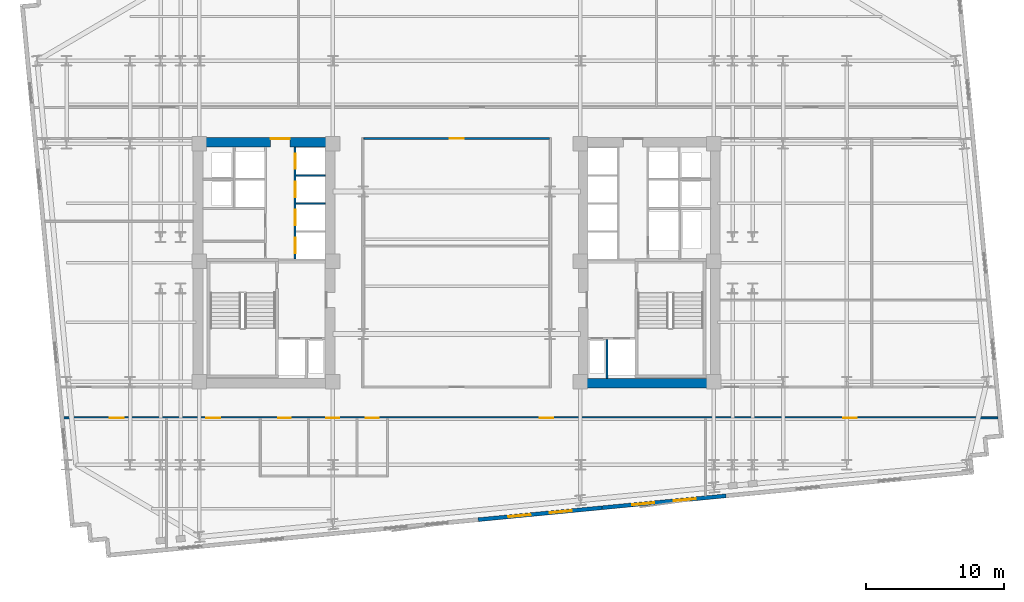
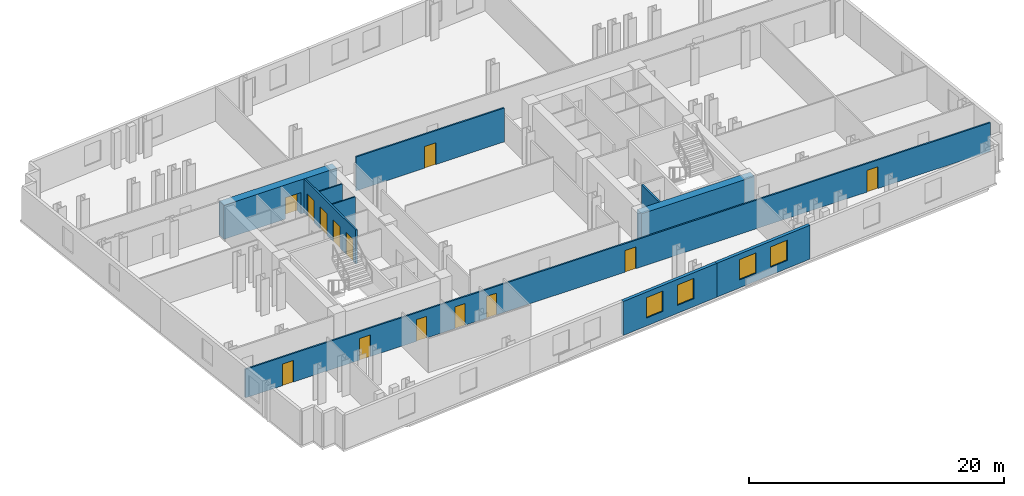
# One storey, part 5 of 10: 13 doors, 10 walls, 4 windows, 17 openings.
"""IFC4 building model written with IfcOpenShell, lengths in metres."""

from ifc_helpers import new_model, si_unit, direction, frame, frame_2d, origin, place, context, subcontext, project, spatial, rectangle, extrude, material, layer, layer_set, type_object, element, fill, save


model = new_model("IFC4")

# Units and contexts
model_context = context("Model", 3, precision=1e-05, world=origin(), true_north=direction((0.0, 1.0)))
body_context = subcontext(model_context, "Body", "Model", "MODEL_VIEW")
ifc_project = project(units=[si_unit("LENGTHUNIT", "METRE"), si_unit("AREAUNIT", "SQUARE_METRE"), si_unit("VOLUMEUNIT", "CUBIC_METRE"), si_unit("PLANEANGLEUNIT", "RADIAN"), si_unit("MASSUNIT", "GRAM", prefix="KILO")], contexts=[model_context])

# Site, building, storey
site_placement = place(None, origin())
site = spatial("IfcSite", under=ifc_project, at=site_placement, CompositionType="ELEMENT")
building_placement = place(site_placement, origin())
building = spatial("IfcBuilding", under=site, at=building_placement, Name="Velakula Bourse", CompositionType="ELEMENT")
storey_placement = place(building_placement, frame((0.0, 0.0, 77.64990234375)))
storey = spatial("IfcBuildingStorey", under=building, at=storey_placement, Name="L20", CompositionType="ELEMENT", Elevation=77.64990234375)

# Wall, opening, door
ifc_material_1 = material(Name="Concrete M70 (fck 70 MPa)", Category="concrete")
ifc_layer_1 = layer(ifc_material_1, 0.699951171875, Name="Concrete M70 (fck 70 MPa)", Category="concrete")
ifc_layer_set_1 = layer_set([ifc_layer_1], Name="Concrete M70 (fck 70 MPa)")
wall_type_1 = type_object("IfcWallType", Name="WL-CORE-700", PredefinedType="SHEAR", material=ifc_layer_set_1)
wall_1_placement = place(storey_placement, frame((-19.050048828125, 8.699951171875, 0.0), z_axis=(0.0, 0.0, 1.0), x_axis=(1.0, 0.0, 0.0)))
wall_1 = element("IfcWall", 1, at=wall_1_placement, inside=storey, type_object=wall_type_1, Name="L20 Core W Shear Wall N", PredefinedType="SHEAR", context=body_context, shape_type="SweptSolid", body=[
    extrude(rectangle(XDim=10.25, YDim=0.699951171875, at=frame_2d((5.125, 0.0))), origin(), (0.0, 0.0, 1.0), 3.27001953125),
])
opening_1_placement = place(wall_1_placement, frame((5.60009765625, 0.0, 0.0)))
opening_1 = element("IfcOpeningElement", 2, at=opening_1_placement, cuts=wall_1, Name="Opening D-LLW", PredefinedType="OPENING", context=body_context, shape_type="SweptSolid", body=[
    extrude(rectangle(XDim=1.39990234375, YDim=2.050048828125, at=frame_2d((0.699951171875, 1.02490234375))), frame((0.0, 0.35986328125, 0.0), z_axis=(0.0, -1.0, 0.0), x_axis=(1.0, 0.0, 0.0)), (0.0, 0.0, 1.0), 0.719970703125),
])
ifc_material_2 = material(Name="Fire-rated hardwood flush architectural door", Category="wood")
door_type_1 = type_object("IfcDoorType", Name="DR-DBL-FD60-1400", OperationType="DOUBLE_DOOR_SINGLE_SWING", PredefinedType="DOOR", material=ifc_material_2)
door_1_placement = place(opening_1_placement, origin())
door_1 = element("IfcDoor", 3, at=door_1_placement, inside=storey, type_object=door_type_1, Name="L20 Core W Lift Lobby Corridor Double Door", OperationType="DOUBLE_DOOR_SINGLE_SWING", OverallHeight=2.050048828125, OverallWidth=1.39990234375, PredefinedType="DOOR", context=body_context, shape_type="SweptSolid", body=[
    extrude(rectangle(XDim=1.39990234375, YDim=2.050048828125, at=frame_2d((0.699951171875, 1.02490234375))), frame((0.0, 0.294921875, 0.0), z_axis=(0.0, -1.0, 0.0), x_axis=(1.0, 0.0, 0.0)), (0.0, 0.0, 1.0), 0.050048828125),
])
fill(opening_1, door_1)

# Wall
wall_2_placement = place(storey_placement, frame((8.800048828125, -8.699951171875, 0.0), z_axis=(0.0, 0.0, 1.0), x_axis=(1.0, 0.0, 0.0)))
element("IfcWall", 4, at=wall_2_placement, inside=storey, type_object=wall_type_1, Name="L20 Core E Shear Wall S", PredefinedType="SHEAR", context=body_context, shape_type="SweptSolid", body=[
    extrude(rectangle(XDim=10.25, YDim=0.699951171875, at=frame_2d((5.125, 0.0))), origin(), (0.0, 0.0, 1.0), 3.27001953125),
])

# Wall, openings, windows
ifc_material_3 = material(Name="Red kilned clay facing brick masonry", Category="masonry")
ifc_layer_2 = layer(ifc_material_3, 0.280029296875, Name="Red kilned clay facing brick masonry", Category="masonry")
ifc_layer_set_2 = layer_set([ifc_layer_2], Name="Red kilned clay facing brick masonry")
wall_type_2 = type_object("IfcWallType", Name="WL-EXT-BRK-280", PredefinedType="STANDARD", material=ifc_layer_set_2)
wall_3_placement = place(storey_placement, frame((10.51513671875, -17.7109375, 0.0), z_axis=(0.0, 0.0, 1.0), x_axis=(-0.995397043619, -0.095836973841, 0.0)))
wall_3 = element("IfcWall", 5, at=wall_3_placement, inside=storey, type_object=wall_type_2, Name="L20 S Brick Spandrel Wall B3", PredefinedType="STANDARD", context=body_context, shape_type="SweptSolid", body=[
    extrude(rectangle(XDim=9.000244140625, YDim=0.280029296875, at=frame_2d((4.5, 0.0))), origin(), (0.0, 0.0, 1.0), 3.25),
])
opening_2_placement = place(wall_3_placement, frame((2.199951171875, 0.0, 0.760009765625)))
opening_2 = element("IfcOpeningElement", 6, at=opening_2_placement, cuts=wall_3, Name="Opening W-02", PredefinedType="OPENING", context=body_context, shape_type="SweptSolid", body=[
    extrude(rectangle(XDim=1.60009765625, YDim=1.949951171875, at=frame_2d((0.800048828125, 0.97509765625))), frame((0.0, 0.14990234375, 0.0), z_axis=(0.0, -1.0, 0.0), x_axis=(1.0, 0.0, 0.0)), (0.0, 0.0, 1.0), 0.300048828125),
])
opening_3_placement = place(wall_3_placement, frame((5.199951171875, 0.0, 0.760009765625)))
opening_3 = element("IfcOpeningElement", 7, at=opening_3_placement, cuts=wall_3, Name="Opening W-02", PredefinedType="OPENING", context=body_context, shape_type="SweptSolid", body=[
    extrude(rectangle(XDim=1.60009765625, YDim=1.949951171875, at=frame_2d((0.800048828125, 0.97509765625))), frame((0.0, 0.14990234375, 0.0), z_axis=(0.0, -1.0, 0.0), x_axis=(1.0, 0.0, 0.0)), (0.0, 0.0, 1.0), 0.300048828125),
])
ifc_material_4 = material(Name="Double-glazed solar-control Low-E glass", Category="glass")
window_type = type_object("IfcWindowType", Name="WIN-TWR-1600x2100", PartitioningType="SINGLE_PANEL", PredefinedType="WINDOW", material=ifc_material_4)
window_1_placement = place(opening_2_placement, origin())
window_1 = element("IfcWindow", 8, at=window_1_placement, inside=storey, type_object=window_type, Name="L20 Deep-Set Recessed Window 1", OverallHeight=1.949951171875, OverallWidth=1.60009765625, PartitioningType="SINGLE_PANEL", PredefinedType="WINDOW", context=body_context, shape_type="SweptSolid", body=[
    extrude(rectangle(XDim=1.60009765625, YDim=1.949951171875, at=frame_2d((0.800048828125, 0.97509765625))), frame((0.0, 0.030029296875, 0.0), z_axis=(0.0, -1.0, 0.0), x_axis=(1.0, 0.0, 0.0)), (0.0, 0.0, 1.0), 0.06005859375),
])
fill(opening_2, window_1)
window_2_placement = place(opening_3_placement, origin())
window_2 = element("IfcWindow", 9, at=window_2_placement, inside=storey, type_object=window_type, Name="L20 Deep-Set Recessed Window 2", OverallHeight=1.949951171875, OverallWidth=1.60009765625, PartitioningType="SINGLE_PANEL", PredefinedType="WINDOW", context=body_context, shape_type="SweptSolid", body=[
    extrude(rectangle(XDim=1.60009765625, YDim=1.949951171875, at=frame_2d((0.800048828125, 0.97509765625))), frame((0.0, 0.030029296875, 0.0), z_axis=(0.0, -1.0, 0.0), x_axis=(1.0, 0.0, 0.0)), (0.0, 0.0, 1.0), 0.06005859375),
])
fill(opening_3, window_2)

wall_4_placement = place(storey_placement, frame((19.4736328125, -16.848388671875, 0.0), z_axis=(0.0, 0.0, 1.0), x_axis=(-0.995396794462, -0.09583956164, 0.0)))
wall_4 = element("IfcWall", 10, at=wall_4_placement, inside=storey, type_object=wall_type_2, Name="L20 S Brick Spandrel Wall B4", PredefinedType="STANDARD", context=body_context, shape_type="SweptSolid", body=[
    extrude(rectangle(XDim=9.0, YDim=0.280029296875, at=frame_2d((4.5, 0.0))), origin(), (0.0, 0.0, 1.0), 3.25),
])
opening_4_placement = place(wall_4_placement, frame((2.199951171875, 0.0, 0.760009765625)))
opening_4 = element("IfcOpeningElement", 11, at=opening_4_placement, cuts=wall_4, Name="Opening W-02", PredefinedType="OPENING", context=body_context, shape_type="SweptSolid", body=[
    extrude(rectangle(XDim=1.60009765625, YDim=1.949951171875, at=frame_2d((0.800048828125, 0.97509765625))), frame((0.0, 0.14990234375, 0.0), z_axis=(0.0, -1.0, 0.0), x_axis=(1.0, 0.0, 0.0)), (0.0, 0.0, 1.0), 0.300048828125),
])
opening_5_placement = place(wall_4_placement, frame((5.199951171875, 0.0, 0.760009765625)))
opening_5 = element("IfcOpeningElement", 12, at=opening_5_placement, cuts=wall_4, Name="Opening W-02", PredefinedType="OPENING", context=body_context, shape_type="SweptSolid", body=[
    extrude(rectangle(XDim=1.60009765625, YDim=1.949951171875, at=frame_2d((0.800048828125, 0.97509765625))), frame((0.0, 0.14990234375, 0.0), z_axis=(0.0, -1.0, 0.0), x_axis=(1.0, 0.0, 0.0)), (0.0, 0.0, 1.0), 0.300048828125),
])
window_3_placement = place(opening_4_placement, origin())
window_3 = element("IfcWindow", 13, at=window_3_placement, inside=storey, type_object=window_type, Name="L20 Deep-Set Recessed Window 1", OverallHeight=1.949951171875, OverallWidth=1.60009765625, PartitioningType="SINGLE_PANEL", PredefinedType="WINDOW", context=body_context, shape_type="SweptSolid", body=[
    extrude(rectangle(XDim=1.60009765625, YDim=1.949951171875, at=frame_2d((0.800048828125, 0.97509765625))), frame((0.0, 0.030029296875, 0.0), z_axis=(0.0, -1.0, 0.0), x_axis=(1.0, 0.0, 0.0)), (0.0, 0.0, 1.0), 0.06005859375),
])
fill(opening_4, window_3)
window_4_placement = place(opening_5_placement, origin())
window_4 = element("IfcWindow", 14, at=window_4_placement, inside=storey, type_object=window_type, Name="L20 Deep-Set Recessed Window 2", OverallHeight=1.949951171875, OverallWidth=1.60009765625, PartitioningType="SINGLE_PANEL", PredefinedType="WINDOW", context=body_context, shape_type="SweptSolid", body=[
    extrude(rectangle(XDim=1.60009765625, YDim=1.949951171875, at=frame_2d((0.800048828125, 0.97509765625))), frame((0.0, 0.030029296875, 0.0), z_axis=(0.0, -1.0, 0.0), x_axis=(1.0, 0.0, 0.0)), (0.0, 0.0, 1.0), 0.06005859375),
])
fill(opening_5, window_4)

# Walls
ifc_material_5 = material(Name="Fire-rated double-layer gypsum drywall partition", Category="gypsum")
ifc_layer_3 = layer(ifc_material_5, 0.1201171875, Name="Fire-rated double-layer gypsum drywall partition", Category="gypsum")
ifc_layer_set_3 = layer_set([ifc_layer_3], Name="Fire-rated double-layer gypsum drywall partition")
wall_type_3 = type_object("IfcWallType", Name="WL-PART-120", PredefinedType="STANDARD", material=ifc_layer_set_3)
for number, where, z_axis, x_axis, name in (
    (15, (-11.60009765625, 4.284912109375, 0.0), (0.0, 0.0, 1.0), (1.0, 0.0, 0.0), "L20 Interior Partition WL-CRW-L20-BDIV-1"),
    (16, (-11.60009765625, 6.31494140625, 0.0), (0.0, 0.0, 1.0), (1.0, 0.0, 0.0), "L20 Interior Partition WL-CRW-L20-BDIV-2"),
):
    element("IfcWall", number, at=place(storey_placement, frame(where, z_axis=z_axis, x_axis=x_axis)), inside=storey, type_object=wall_type_3, Name=name, PredefinedType="STANDARD", context=body_context, shape_type="SweptSolid", body=[
        extrude(rectangle(XDim=2.10009765625, YDim=0.110107421875, at=frame_2d((1.050048828125, 0.0))), origin(), (0.0, 0.0, 1.0), 3.25),
    ])

# Wall, openings, doors
ifc_layer_4 = layer(ifc_material_5, 0.139892578125, Name="Fire-rated double-layer gypsum drywall partition", Category="gypsum")
ifc_layer_set_4 = layer_set([ifc_layer_4], Name="Fire-rated double-layer gypsum drywall partition")
wall_type_4 = type_object("IfcWallType", Name="WL-PART-140", PredefinedType="STANDARD", material=ifc_layer_set_4)
wall_5_placement = place(storey_placement, frame((-28.40625, -11.219970703125, 0.0), z_axis=(0.0, 0.0, 1.0), x_axis=(1.0, 0.0, 0.0)))
wall_5 = element("IfcWall", 17, at=wall_5_placement, inside=storey, type_object=wall_type_4, Name="L20 Interior Partition WL-INT-L20-S-CORR", PredefinedType="STANDARD", context=body_context, shape_type="SweptSolid", body=[
    extrude(rectangle(XDim=67.551025390625, YDim=0.139892578125, at=frame_2d((33.775390625, 0.0))), origin(), (0.0, 0.0, 1.0), 2.7451171875),
])
opening_6_placement = place(wall_5_placement, frame((15.496337890625, 0.0, 0.0)))
opening_6 = element("IfcOpeningElement", 18, at=opening_6_placement, cuts=wall_5, Name="Opening D-WT1", PredefinedType="OPENING", context=body_context, shape_type="SweptSolid", body=[
    extrude(rectangle(XDim=0.919921875, YDim=2.080078125, at=frame_2d((0.4599609375, 1.0400390625))), frame((0.0, 0.079833984375, 0.0), z_axis=(0.0, -1.0, 0.0), x_axis=(1.0, 0.0, 0.0)), (0.0, 0.0, 1.0), 0.159912109375),
])
opening_7_placement = place(wall_5_placement, frame((18.996337890625, 0.0, 0.0)))
opening_7 = element("IfcOpeningElement", 19, at=opening_7_placement, cuts=wall_5, Name="Opening D-WT1", PredefinedType="OPENING", context=body_context, shape_type="SweptSolid", body=[
    extrude(rectangle(XDim=0.919921875, YDim=2.080078125, at=frame_2d((0.4599609375, 1.0400390625))), frame((0.0, 0.079833984375, 0.0), z_axis=(0.0, -1.0, 0.0), x_axis=(1.0, 0.0, 0.0)), (0.0, 0.0, 1.0), 0.159912109375),
])
opening_8_placement = place(wall_5_placement, frame((21.84619140625, 0.0, 0.0)))
opening_8 = element("IfcOpeningElement", 20, at=opening_8_placement, cuts=wall_5, Name="Opening D-WC1", PredefinedType="OPENING", context=body_context, shape_type="SweptSolid", body=[
    extrude(rectangle(XDim=0.919921875, YDim=2.080078125, at=frame_2d((0.4599609375, 1.0400390625))), frame((0.0, 0.079833984375, 0.0), z_axis=(0.0, -1.0, 0.0), x_axis=(1.0, 0.0, 0.0)), (0.0, 0.0, 1.0), 0.159912109375),
])
opening_9_placement = place(wall_5_placement, frame((3.335693359375, 0.0, 0.0)))
opening_9 = element("IfcOpeningElement", 21, at=opening_9_placement, cuts=wall_5, Name="Opening D-OF1", PredefinedType="OPENING", context=body_context, shape_type="SweptSolid", body=[
    extrude(rectangle(XDim=1.0, YDim=2.080078125, at=frame_2d((0.5, 1.0400390625))), frame((0.0, 0.079833984375, 0.0), z_axis=(0.0, -1.0, 0.0), x_axis=(1.0, 0.0, 0.0)), (0.0, 0.0, 1.0), 0.159912109375),
])
opening_10_placement = place(wall_5_placement, frame((10.312744140625, 0.0, 0.0)))
opening_10 = element("IfcOpeningElement", 22, at=opening_10_placement, cuts=wall_5, Name="Opening D-OF1", PredefinedType="OPENING", context=body_context, shape_type="SweptSolid", body=[
    extrude(rectangle(XDim=1.0, YDim=2.080078125, at=frame_2d((0.5, 1.0400390625))), frame((0.0, 0.079833984375, 0.0), z_axis=(0.0, -1.0, 0.0), x_axis=(1.0, 0.0, 0.0)), (0.0, 0.0, 1.0), 0.159912109375),
])
opening_11_placement = place(wall_5_placement, frame((34.396728515625, 0.0, 0.0)))
opening_11 = element("IfcOpeningElement", 23, at=opening_11_placement, cuts=wall_5, Name="Opening D-OF1", PredefinedType="OPENING", context=body_context, shape_type="SweptSolid", body=[
    extrude(rectangle(XDim=1.0, YDim=2.080078125, at=frame_2d((0.5, 1.0400390625))), frame((0.0, 0.079833984375, 0.0), z_axis=(0.0, -1.0, 0.0), x_axis=(1.0, 0.0, 0.0)), (0.0, 0.0, 1.0), 0.159912109375),
])
opening_12_placement = place(wall_5_placement, frame((56.343017578125, 0.0, 0.0)))
opening_12 = element("IfcOpeningElement", 24, at=opening_12_placement, cuts=wall_5, Name="Opening D-OF1", PredefinedType="OPENING", context=body_context, shape_type="SweptSolid", body=[
    extrude(rectangle(XDim=1.0, YDim=2.080078125, at=frame_2d((0.5, 1.0400390625))), frame((0.0, 0.079833984375, 0.0), z_axis=(0.0, -1.0, 0.0), x_axis=(1.0, 0.0, 0.0)), (0.0, 0.0, 1.0), 0.159912109375),
])
door_type_2 = type_object("IfcDoorType", Name="DR-OFF-1000", OperationType="NOTDEFINED", PredefinedType="DOOR", material=ifc_material_2)
door_2_placement = place(opening_9_placement, origin())
door_2 = element("IfcDoor", 25, at=door_2_placement, inside=storey, type_object=door_type_2, Name="L20 Quiet Financial Library Door", OperationType="SINGLE_SWING_LEFT", OverallHeight=2.080078125, OverallWidth=1.0, PredefinedType="DOOR", context=body_context, shape_type="SweptSolid", body=[
    extrude(rectangle(XDim=1.0, YDim=2.080078125, at=frame_2d((0.5, 1.0400390625))), frame((0.0, 0.02490234375, 0.0), z_axis=(0.0, -1.0, 0.0), x_axis=(1.0, 0.0, 0.0)), (0.0, 0.0, 1.0), 0.050048828125),
])
fill(opening_9, door_2)
door_3_placement = place(opening_10_placement, origin())
door_3 = element("IfcDoor", 26, at=door_3_placement, inside=storey, type_object=door_type_2, Name="L20 Chief Risk Officer Chamber Door", OperationType="SINGLE_SWING_RIGHT", OverallHeight=2.080078125, OverallWidth=1.0, PredefinedType="DOOR", context=body_context, shape_type="SweptSolid", body=[
    extrude(rectangle(XDim=1.0, YDim=2.080078125, at=frame_2d((0.5, 1.0400390625))), frame((0.0, 0.02490234375, 0.0), z_axis=(0.0, -1.0, 0.0), x_axis=(1.0, 0.0, 0.0)), (0.0, 0.0, 1.0), 0.050048828125),
])
fill(opening_10, door_3)
door_4_placement = place(opening_11_placement, origin())
door_4 = element("IfcDoor", 27, at=door_4_placement, inside=storey, type_object=door_type_2, Name="L20 Executive Boardroom Door", OperationType="SINGLE_SWING_LEFT", OverallHeight=2.080078125, OverallWidth=1.0, PredefinedType="DOOR", context=body_context, shape_type="SweptSolid", body=[
    extrude(rectangle(XDim=1.0, YDim=2.080078125, at=frame_2d((0.5, 1.0400390625))), frame((0.0, 0.02490234375, 0.0), z_axis=(0.0, -1.0, 0.0), x_axis=(1.0, 0.0, 0.0)), (0.0, 0.0, 1.0), 0.050048828125),
])
fill(opening_11, door_4)
door_5_placement = place(opening_12_placement, origin())
door_5 = element("IfcDoor", 28, at=door_5_placement, inside=storey, type_object=door_type_2, Name="L20 Catering Servery Pantry Door", OperationType="SINGLE_SWING_RIGHT", OverallHeight=2.080078125, OverallWidth=1.0, PredefinedType="DOOR", context=body_context, shape_type="SweptSolid", body=[
    extrude(rectangle(XDim=1.0, YDim=2.080078125, at=frame_2d((0.5, 1.0400390625))), frame((0.0, 0.02490234375, 0.0), z_axis=(0.0, -1.0, 0.0), x_axis=(1.0, 0.0, 0.0)), (0.0, 0.0, 1.0), 0.050048828125),
])
fill(opening_12, door_5)
door_type_3 = type_object("IfcDoorType", Name="DR-WC-950", OperationType="NOTDEFINED", PredefinedType="DOOR", material=ifc_material_2)
door_6_placement = place(opening_6_placement, origin())
door_6 = element("IfcDoor", 29, at=door_6_placement, inside=storey, type_object=door_type_3, Name="L20 Male Staff Toilet Door", OperationType="SINGLE_SWING_RIGHT", OverallHeight=2.080078125, OverallWidth=0.919921875, PredefinedType="DOOR", context=body_context, shape_type="SweptSolid", body=[
    extrude(rectangle(XDim=0.919921875, YDim=2.080078125, at=frame_2d((0.4599609375, 1.0400390625))), frame((0.0, 0.02490234375, 0.0), z_axis=(0.0, -1.0, 0.0), x_axis=(1.0, 0.0, 0.0)), (0.0, 0.0, 1.0), 0.050048828125),
])
fill(opening_6, door_6)
door_7_placement = place(opening_7_placement, origin())
door_7 = element("IfcDoor", 30, at=door_7_placement, inside=storey, type_object=door_type_3, Name="L20 Female Staff Toilet Door", OperationType="SINGLE_SWING_LEFT", OverallHeight=2.080078125, OverallWidth=0.919921875, PredefinedType="DOOR", context=body_context, shape_type="SweptSolid", body=[
    extrude(rectangle(XDim=0.919921875, YDim=2.080078125, at=frame_2d((0.4599609375, 1.0400390625))), frame((0.0, 0.02490234375, 0.0), z_axis=(0.0, -1.0, 0.0), x_axis=(1.0, 0.0, 0.0)), (0.0, 0.0, 1.0), 0.050048828125),
])
fill(opening_7, door_7)
door_8_placement = place(opening_8_placement, origin())
door_8 = element("IfcDoor", 31, at=door_8_placement, inside=storey, type_object=door_type_3, Name="L20 Accessible WC Door", OperationType="SINGLE_SWING_RIGHT", OverallHeight=2.080078125, OverallWidth=0.919921875, PredefinedType="DOOR", context=body_context, shape_type="SweptSolid", body=[
    extrude(rectangle(XDim=0.919921875, YDim=2.080078125, at=frame_2d((0.4599609375, 1.0400390625))), frame((0.0, 0.02490234375, 0.0), z_axis=(0.0, -1.0, 0.0), x_axis=(1.0, 0.0, 0.0)), (0.0, 0.0, 1.0), 0.050048828125),
])
fill(opening_8, door_8)

# Wall, opening, door
wall_6_placement = place(storey_placement, frame((-6.7099609375, 8.97998046875, 0.0), z_axis=(0.0, 0.0, 1.0), x_axis=(1.0, 0.0, 0.0)))
wall_6 = element("IfcWall", 32, at=wall_6_placement, inside=storey, type_object=wall_type_4, Name="L20 Interior Partition WL-INT-L20-MID-N", PredefinedType="STANDARD", context=body_context, shape_type="SweptSolid", body=[
    extrude(rectangle(XDim=13.419921875, YDim=0.139892578125, at=frame_2d((6.7099609375, 0.0))), origin(), (0.0, 0.0, 1.0), 3.25),
])
opening_13_placement = place(wall_6_placement, frame((6.2099609375, 0.0, 0.0)))
opening_13 = element("IfcOpeningElement", 33, at=opening_13_placement, cuts=wall_6, Name="Opening D-OF1", PredefinedType="OPENING", context=body_context, shape_type="SweptSolid", body=[
    extrude(rectangle(XDim=1.0, YDim=2.080078125, at=frame_2d((0.5, 1.0400390625))), frame((0.0, 0.079833984375, 0.0), z_axis=(0.0, -1.0, 0.0), x_axis=(1.0, 0.0, 0.0)), (0.0, 0.0, 1.0), 0.159912109375),
])
door_9_placement = place(opening_13_placement, origin())
door_9 = element("IfcDoor", 34, at=door_9_placement, inside=storey, type_object=door_type_2, Name="L20 Central Boardroom North Door", OperationType="SINGLE_SWING_RIGHT", OverallHeight=2.080078125, OverallWidth=1.0, PredefinedType="DOOR", context=body_context, shape_type="SweptSolid", body=[
    extrude(rectangle(XDim=1.0, YDim=2.080078125, at=frame_2d((0.5, 1.0400390625))), frame((0.0, 0.02490234375, 0.0), z_axis=(0.0, -1.0, 0.0), x_axis=(1.0, 0.0, 0.0)), (0.0, 0.0, 1.0), 0.050048828125),
])
fill(opening_13, door_9)

# Wall, openings, doors
ifc_material_6 = material(Name="Autoclaved aerated concrete blockwork masonry", Category="masonry")
ifc_layer_5 = layer(ifc_material_6, 0.14990234375, Name="Autoclaved aerated concrete blockwork masonry", Category="masonry")
ifc_layer_set_5 = layer_set([ifc_layer_5], Name="Autoclaved aerated concrete blockwork masonry")
wall_type_5 = type_object("IfcWallType", Name="WL-SHAFT-150", PredefinedType="STANDARD", material=ifc_layer_set_5)
wall_7_placement = place(storey_placement, frame((-11.675048828125, 0.27001953125, 0.0), z_axis=(0.0, 0.0, 1.0), x_axis=(0.0, 1.0, 0.0)))
wall_7 = element("IfcWall", 35, at=wall_7_placement, inside=storey, type_object=wall_type_5, Name="L20 Interior Partition WL-CRW-L20-BANK-F", PredefinedType="STANDARD", context=body_context, shape_type="SweptSolid", body=[
    extrude(rectangle(XDim=8.080078125, YDim=0.14990234375, at=frame_2d((4.0400390625, 0.0))), origin(), (0.0, 0.0, 1.0), 3.25),
])
opening_14_placement = place(wall_7_placement, frame((0.419921875, 0.0, 0.0)))
opening_14 = element("IfcOpeningElement", 36, at=opening_14_placement, cuts=wall_7, Name="Opening LD-P1", PredefinedType="OPENING", context=body_context, shape_type="SweptSolid", body=[
    extrude(rectangle(XDim=1.10009765625, YDim=2.10009765625, at=frame_2d((0.550048828125, 1.050048828125))), frame((0.0, 0.0849609375, 0.0), z_axis=(0.0, -1.0, 0.0), x_axis=(1.0, 0.0, 0.0)), (0.0, 0.0, 1.0), 0.169921875),
])
opening_15_placement = place(wall_7_placement, frame((2.449951171875, 0.0, 0.0)))
opening_15 = element("IfcOpeningElement", 37, at=opening_15_placement, cuts=wall_7, Name="Opening LD-P2", PredefinedType="OPENING", context=body_context, shape_type="SweptSolid", body=[
    extrude(rectangle(XDim=1.10009765625, YDim=2.10009765625, at=frame_2d((0.550048828125, 1.050048828125))), frame((0.0, 0.0849609375, 0.0), z_axis=(0.0, -1.0, 0.0), x_axis=(1.0, 0.0, 0.0)), (0.0, 0.0, 1.0), 0.169921875),
])
opening_16_placement = place(wall_7_placement, frame((4.47998046875, 0.0, 0.0)))
opening_16 = element("IfcOpeningElement", 38, at=opening_16_placement, cuts=wall_7, Name="Opening LD-P3", PredefinedType="OPENING", context=body_context, shape_type="SweptSolid", body=[
    extrude(rectangle(XDim=1.10009765625, YDim=2.10009765625, at=frame_2d((0.550048828125, 1.050048828125))), frame((0.0, 0.0849609375, 0.0), z_axis=(0.0, -1.0, 0.0), x_axis=(1.0, 0.0, 0.0)), (0.0, 0.0, 1.0), 0.169921875),
])
opening_17_placement = place(wall_7_placement, frame((6.510009765625, 0.0, 0.0)))
opening_17 = element("IfcOpeningElement", 39, at=opening_17_placement, cuts=wall_7, Name="Opening LD-P4", PredefinedType="OPENING", context=body_context, shape_type="SweptSolid", body=[
    extrude(rectangle(XDim=1.10009765625, YDim=2.10009765625, at=frame_2d((0.550048828125, 1.050048828125))), frame((0.0, 0.0849609375, 0.0), z_axis=(0.0, -1.0, 0.0), x_axis=(1.0, 0.0, 0.0)), (0.0, 0.0, 1.0), 0.169921875),
])
ifc_material_7 = material(Name="Brushed grade 316 stainless steel", Category="steel")
door_type_4 = type_object("IfcDoorType", Name="DR-SLIDE-LD-1100", OperationType="DOUBLE_DOOR_SLIDING", PredefinedType="DOOR", material=ifc_material_7)
door_10_placement = place(opening_14_placement, origin())
door_10 = element("IfcDoor", 40, at=door_10_placement, inside=storey, type_object=door_type_4, Name="L20 Passenger Lift P1 Sliding Landing Door", OperationType="DOUBLE_DOOR_SLIDING", OverallHeight=2.10009765625, OverallWidth=1.10009765625, PredefinedType="DOOR", context=body_context, shape_type="SweptSolid", body=[
    extrude(rectangle(XDim=1.10009765625, YDim=2.10009765625, at=frame_2d((0.550048828125, 1.050048828125))), frame((0.0, 0.02490234375, 0.0), z_axis=(0.0, -1.0, 0.0), x_axis=(1.0, 0.0, 0.0)), (0.0, 0.0, 1.0), 0.050048828125),
])
fill(opening_14, door_10)
door_11_placement = place(opening_15_placement, origin())
door_11 = element("IfcDoor", 41, at=door_11_placement, inside=storey, type_object=door_type_4, Name="L20 Passenger Lift P2 Sliding Landing Door", OperationType="DOUBLE_DOOR_SLIDING", OverallHeight=2.10009765625, OverallWidth=1.10009765625, PredefinedType="DOOR", context=body_context, shape_type="SweptSolid", body=[
    extrude(rectangle(XDim=1.10009765625, YDim=2.10009765625, at=frame_2d((0.550048828125, 1.050048828125))), frame((0.0, 0.02490234375, 0.0), z_axis=(0.0, -1.0, 0.0), x_axis=(1.0, 0.0, 0.0)), (0.0, 0.0, 1.0), 0.050048828125),
])
fill(opening_15, door_11)
door_12_placement = place(opening_16_placement, origin())
door_12 = element("IfcDoor", 42, at=door_12_placement, inside=storey, type_object=door_type_4, Name="L20 Passenger Lift P3 Sliding Landing Door", OperationType="DOUBLE_DOOR_SLIDING", OverallHeight=2.10009765625, OverallWidth=1.10009765625, PredefinedType="DOOR", context=body_context, shape_type="SweptSolid", body=[
    extrude(rectangle(XDim=1.10009765625, YDim=2.10009765625, at=frame_2d((0.550048828125, 1.050048828125))), frame((0.0, 0.02490234375, 0.0), z_axis=(0.0, -1.0, 0.0), x_axis=(1.0, 0.0, 0.0)), (0.0, 0.0, 1.0), 0.050048828125),
])
fill(opening_16, door_12)
door_13_placement = place(opening_17_placement, origin())
door_13 = element("IfcDoor", 43, at=door_13_placement, inside=storey, type_object=door_type_4, Name="L20 Passenger Lift P4 Sliding Landing Door", OperationType="DOUBLE_DOOR_SLIDING", OverallHeight=2.10009765625, OverallWidth=1.10009765625, PredefinedType="DOOR", context=body_context, shape_type="SweptSolid", body=[
    extrude(rectangle(XDim=1.10009765625, YDim=2.10009765625, at=frame_2d((0.550048828125, 1.050048828125))), frame((0.0, 0.02490234375, 0.0), z_axis=(0.0, -1.0, 0.0), x_axis=(1.0, 0.0, 0.0)), (0.0, 0.0, 1.0), 0.050048828125),
])
fill(opening_17, door_13)

# Wall
wall_8_placement = place(storey_placement, frame((10.875, -8.35009765625, 0.0), z_axis=(0.0, 0.0, 1.0), x_axis=(0.0, 1.0, 0.0)))
element("IfcWall", 44, at=wall_8_placement, inside=storey, type_object=wall_type_5, Name="L20 Interior Partition WL-CRE-L20-FR-DIV", PredefinedType="STANDARD", context=body_context, shape_type="SweptSolid", body=[
    extrude(rectangle(XDim=2.800048828125, YDim=0.14990234375, at=frame_2d((1.39990234375, 0.0))), origin(), (0.0, 0.0, 1.0), 3.25),
])

save(model, "model.ifc")
